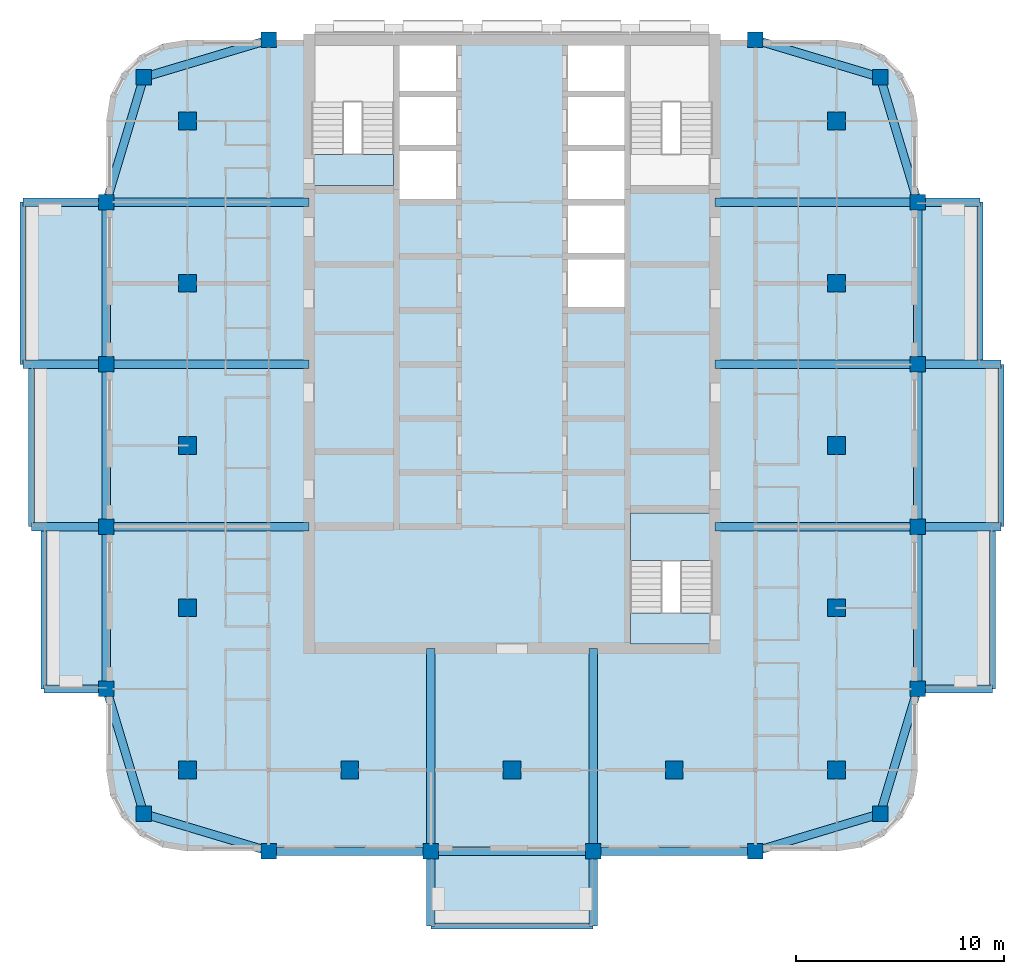
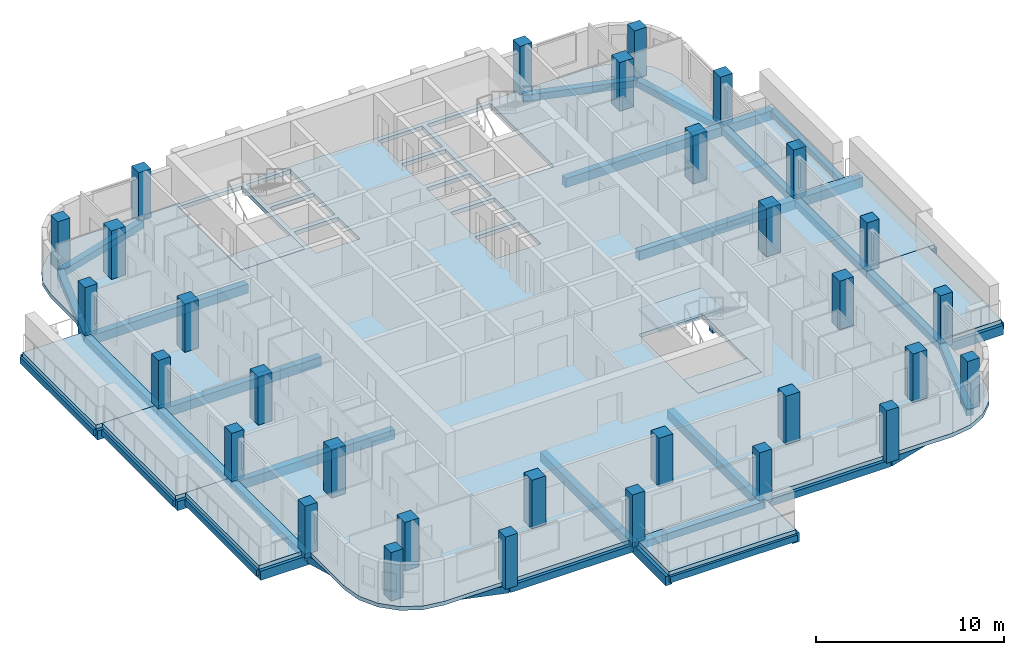
# One storey, part 1 of 13: 42 beams, 31 columns, 11 slabs, 2 elements without a shape of their own.
"""IFC4 building model written with IfcOpenShell, lengths in metres."""

from ifc_helpers import new_model, si_unit, direction, frame, origin, origin_2d, place, context, subcontext, project, spatial, polyline, rectangle, outline, extrude, material, layer, layer_set, material_profile, profile_set, type_object, element, aggregate, save


model = new_model("IFC4")

# Units and contexts
model_context = context("Model", 3, precision=1e-05, world=origin(), true_north=direction((0.0, 1.0)))
body_context = subcontext(model_context, "Body", "Model", "MODEL_VIEW")
ifc_project = project(units=[si_unit("LENGTHUNIT", "METRE"), si_unit("AREAUNIT", "SQUARE_METRE"), si_unit("VOLUMEUNIT", "CUBIC_METRE"), si_unit("PLANEANGLEUNIT", "RADIAN"), si_unit("MASSUNIT", "GRAM", prefix="KILO")], contexts=[model_context])

# Site, building, storey
site_placement = place(None, origin())
site = spatial("IfcSite", under=ifc_project, at=site_placement, CompositionType="ELEMENT")
building_placement = place(site_placement, origin())
building = spatial("IfcBuilding", under=site, at=building_placement, Name="Ludao Terraces", CompositionType="ELEMENT")
storey_placement = place(building_placement, frame((0.0, 0.0, 165.60009765625)))
storey = spatial("IfcBuildingStorey", under=building, at=storey_placement, Name="L45", CompositionType="ELEMENT", Elevation=165.60009765625)

# Columns
ifc_material_1 = material(Name="Concrete C45", Category="concrete")
ifc_material_profile_1 = material_profile(ifc_material_1, rectangle(XDim=0.75, YDim=0.75, at=origin_2d()), Name="750 X 750")
ifc_profile_set_1 = profile_set([ifc_material_profile_1], Name="Concrete C45")
column_type_1 = type_object("IfcColumnType", Name="RC column 750x750 C45", PredefinedType="COLUMN", material=ifc_profile_set_1)
for number, where, z_axis, x_axis, name in (
    (1, (67.300048828125, 47.300048828125, -0.25), (0.0, 0.0, 1.0), (1.0, 0.0, 0.0), "Column L45 C0057x0057"),
    (2, (102.699951171875, 47.300048828125, -0.25), (0.0, 0.0, 1.0), (1.0, 0.0, 0.0), "Column L45 C0411x0057"),
    (3, (67.300048828125, 82.699951171875, -0.25), (0.0, 0.0, 1.0), (1.0, 0.0, 0.0), "Column L45 C0057x0411"),
    (4, (102.699951171875, 82.699951171875, -0.25), (0.0, 0.0, 1.0), (1.0, 0.0, 0.0), "Column L45 C0411x0411"),
    (5, (65.5, 53.300048828125, -0.25), (0.0, 0.0, 1.0), (1.0, 0.0, 0.0), "Column L45 W0039x0117"),
    (6, (104.5, 53.300048828125, -0.25), (0.0, 0.0, 1.0), (1.0, 0.0, 0.0), "Column L45 W0429x0117"),
    (7, (73.300048828125, 45.5, -0.25), (0.0, 0.0, 1.0), (1.0, 0.0, 0.0), "Column L45 W0117x0039"),
    (8, (73.300048828125, 84.5, -0.25), (0.0, 0.0, 1.0), (1.0, 0.0, 0.0), "Column L45 W0117x0429"),
    (9, (65.5, 61.10009765625, -0.25), (0.0, 0.0, 1.0), (1.0, 0.0, 0.0), "Column L45 W0039x0195"),
    (10, (104.5, 61.10009765625, -0.25), (0.0, 0.0, 1.0), (1.0, 0.0, 0.0), "Column L45 W0429x0195"),
    (11, (81.10009765625, 45.5, -0.25), (0.0, 0.0, 1.0), (1.0, 0.0, 0.0), "Column L45 W0195x0039"),
    (12, (65.5, 68.89990234375, -0.25), (0.0, 0.0, 1.0), (1.0, 0.0, 0.0), "Column L45 W0039x0273"),
    (13, (104.5, 68.89990234375, -0.25), (0.0, 0.0, 1.0), (1.0, 0.0, 0.0), "Column L45 W0429x0273"),
    (14, (88.89990234375, 45.5, -0.25), (0.0, 0.0, 1.0), (1.0, 0.0, 0.0), "Column L45 W0273x0039"),
    (15, (65.5, 76.699951171875, -0.25), (0.0, 0.0, 1.0), (1.0, 0.0, 0.0), "Column L45 W0039x0351"),
    (16, (104.5, 76.699951171875, -0.25), (0.0, 0.0, 1.0), (1.0, 0.0, 0.0), "Column L45 W0429x0351"),
    (17, (96.699951171875, 45.5, -0.25), (0.0, 0.0, 1.0), (1.0, 0.0, 0.0), "Column L45 W0351x0039"),
    (18, (96.699951171875, 84.5, -0.25), (0.0, 0.0, 1.0), (1.0, 0.0, 0.0), "Column L45 W0351x0429"),
):
    element("IfcColumn", number, at=place(storey_placement, frame(where, z_axis=z_axis, x_axis=x_axis)), inside=storey, type_object=column_type_1, Name=name, PredefinedType="COLUMN", context=body_context, shape_type="SweptSolid", body=[
        extrude(rectangle(XDim=0.75, YDim=0.75, at=origin_2d()), origin(), (0.0, 0.0, 1.0), 3.39990234375),
    ])
ifc_material_profile_2 = material_profile(ifc_material_1, rectangle(XDim=0.85009765625, YDim=0.85009765625, at=origin_2d()), Name="850 X 850")
ifc_profile_set_2 = profile_set([ifc_material_profile_2], Name="Concrete C45")
column_type_2 = type_object("IfcColumnType", Name="RC column 850x850 C45", PredefinedType="COLUMN", material=ifc_profile_set_2)
for number, where, z_axis, x_axis, name in (
    (19, (69.39990234375, 49.39990234375, -0.25), (0.0, 0.0, 1.0), (1.0, 0.0, 0.0), "Column L45 S0078x0078"),
    (20, (69.39990234375, 57.199951171875, -0.25), (0.0, 0.0, 1.0), (1.0, 0.0, 0.0), "Column L45 S0078x0156"),
    (21, (69.39990234375, 65.0, -0.25), (0.0, 0.0, 1.0), (1.0, 0.0, 0.0), "Column L45 S0078x0234"),
    (22, (69.39990234375, 72.800048828125, -0.25), (0.0, 0.0, 1.0), (1.0, 0.0, 0.0), "Column L45 S0078x0312"),
    (23, (69.39990234375, 80.60009765625, -0.25), (0.0, 0.0, 1.0), (1.0, 0.0, 0.0), "Column L45 S0078x0390"),
    (24, (77.199951171875, 49.39990234375, -0.25), (0.0, 0.0, 1.0), (1.0, 0.0, 0.0), "Column L45 S0156x0078"),
    (25, (85.0, 49.39990234375, -0.25), (0.0, 0.0, 1.0), (1.0, 0.0, 0.0), "Column L45 S0234x0078"),
    (26, (92.800048828125, 49.39990234375, -0.25), (0.0, 0.0, 1.0), (1.0, 0.0, 0.0), "Column L45 S0312x0078"),
    (27, (100.60009765625, 49.39990234375, -0.25), (0.0, 0.0, 1.0), (1.0, 0.0, 0.0), "Column L45 S0390x0078"),
    (28, (100.60009765625, 57.199951171875, -0.25), (0.0, 0.0, 1.0), (1.0, 0.0, 0.0), "Column L45 S0390x0156"),
    (29, (100.60009765625, 65.0, -0.25), (0.0, 0.0, 1.0), (1.0, 0.0, 0.0), "Column L45 S0390x0234"),
    (30, (100.60009765625, 72.800048828125, -0.25), (0.0, 0.0, 1.0), (1.0, 0.0, 0.0), "Column L45 S0390x0312"),
    (31, (100.60009765625, 80.60009765625, -0.25), (0.0, 0.0, 1.0), (1.0, 0.0, 0.0), "Column L45 S0390x0390"),
):
    element("IfcColumn", number, at=place(storey_placement, frame(where, z_axis=z_axis, x_axis=x_axis)), inside=storey, type_object=column_type_2, Name=name, PredefinedType="COLUMN", context=body_context, shape_type="SweptSolid", body=[
        extrude(rectangle(XDim=0.85009765625, YDim=0.85009765625, at=origin_2d()), origin(), (0.0, 0.0, 1.0), 3.39990234375),
    ])

# Beams
ifc_material_2 = material(Name="Concrete C40", Category="concrete")
ifc_material_profile_3 = material_profile(ifc_material_2, rectangle(XDim=0.300048828125, YDim=0.39990234375, at=origin_2d()), Name="300 X 400")
ifc_profile_set_3 = profile_set([ifc_material_profile_3], Name="Concrete C40")
beam_type_1 = type_object("IfcBeamType", Name="RC beam 300x400 C40", PredefinedType="BEAM", material=ifc_profile_set_3)
beam_1_placement = place(storey_placement, frame((81.10009765625, 41.89990234375, -0.4501953125), z_axis=(1.0, 0.0, 0.0), x_axis=(0.0, 1.0, 0.0)))
element("IfcBeam", 32, at=beam_1_placement, inside=storey, type_object=beam_type_1, Name="Balcony edge beam L45 S1", PredefinedType="BEAM", context=body_context, shape_type="SweptSolid", body=[
    extrude(rectangle(XDim=0.300048828125, YDim=0.39990234375, at=origin_2d()), origin(), (0.0, 0.0, 1.0), 7.7998046875),
])
beam_2_placement = place(storey_placement, frame((108.10009765625, 53.300048828125, -0.4501953125), z_axis=(0.0, 1.0, 0.0), x_axis=(-1.0, 0.0, 0.0)))
element("IfcBeam", 33, at=beam_2_placement, inside=storey, type_object=beam_type_1, Name="Balcony edge beam L45 E1", PredefinedType="BEAM", context=body_context, shape_type="SweptSolid", body=[
    extrude(rectangle(XDim=0.300048828125, YDim=0.39990234375, at=origin_2d()), origin(), (0.0, 0.0, 1.0), 7.800048828125),
])
beam_3_placement = place(storey_placement, frame((108.5, 61.10009765625, -0.4501953125), z_axis=(0.0, 1.0, 0.0), x_axis=(-1.0, 0.0, 0.0)))
element("IfcBeam", 34, at=beam_3_placement, inside=storey, type_object=beam_type_1, Name="Balcony edge beam L45 E2", PredefinedType="BEAM", context=body_context, shape_type="SweptSolid", body=[
    extrude(rectangle(XDim=0.300048828125, YDim=0.39990234375, at=origin_2d()), origin(), (0.0, 0.0, 1.0), 7.7998046875),
])
for number, where, z_axis, x_axis, name in (
    (35, (107.5, 68.89990234375, -0.4501953125), (0.0, 1.0, 0.0), (-1.0, 0.0, 0.0), "Balcony edge beam L45 E3"),
    (36, (62.5, 53.300048828125, -0.4501953125), (0.0, 1.0, 0.0), (-1.0, 0.0, 0.0), "Balcony edge beam L45 W1"),
):
    element("IfcBeam", number, at=place(storey_placement, frame(where, z_axis=z_axis, x_axis=x_axis)), inside=storey, type_object=beam_type_1, Name=name, PredefinedType="BEAM", context=body_context, shape_type="SweptSolid", body=[
        extrude(rectangle(XDim=0.300048828125, YDim=0.39990234375, at=origin_2d()), origin(), (0.0, 0.0, 1.0), 7.800048828125),
    ])
beam_4_placement = place(storey_placement, frame((61.89990234375, 61.10009765625, -0.4501953125), z_axis=(0.0, 1.0, 0.0), x_axis=(-1.0, 0.0, 0.0)))
element("IfcBeam", 37, at=beam_4_placement, inside=storey, type_object=beam_type_1, Name="Balcony edge beam L45 W2", PredefinedType="BEAM", context=body_context, shape_type="SweptSolid", body=[
    extrude(rectangle(XDim=0.300048828125, YDim=0.39990234375, at=origin_2d()), origin(), (0.0, 0.0, 1.0), 7.7998046875),
])
beam_5_placement = place(storey_placement, frame((61.5, 68.89990234375, -0.4501953125), z_axis=(0.0, 1.0, 0.0), x_axis=(-1.0, 0.0, 0.0)))
element("IfcBeam", 38, at=beam_5_placement, inside=storey, type_object=beam_type_1, Name="Balcony edge beam L45 W3", PredefinedType="BEAM", context=body_context, shape_type="SweptSolid", body=[
    extrude(rectangle(XDim=0.300048828125, YDim=0.39990234375, at=origin_2d()), origin(), (0.0, 0.0, 1.0), 7.800048828125),
])
ifc_material_profile_4 = material_profile(ifc_material_2, rectangle(XDim=0.39990234375, YDim=0.449951171875, at=origin_2d()), Name="400 X 450")
ifc_profile_set_4 = profile_set([ifc_material_profile_4], Name="Concrete C40")
beam_type_2 = type_object("IfcBeamType", Name="RC beam 400x450 C40", PredefinedType="BEAM", material=ifc_profile_set_4)
beam_6_placement = place(storey_placement, frame((67.300048828125, 47.300048828125, -0.47509765625), z_axis=(0.957824139839, -0.287355036744, 0.0), x_axis=(0.287355036744, 0.957824139839, 0.0)))
element("IfcBeam", 39, at=beam_6_placement, inside=storey, type_object=beam_type_2, Name="Spandrel beam L45 S1", PredefinedType="BEAM", context=body_context, shape_type="SweptSolid", body=[
    extrude(rectangle(XDim=0.39990234375, YDim=0.449951171875, at=origin_2d()), origin(), (0.0, 0.0, 1.0), 6.26416015625),
])
beam_7_placement = place(storey_placement, frame((73.300048828125, 45.5, -0.47509765625), z_axis=(1.0, 0.0, 0.0), x_axis=(0.0, 1.0, 0.0)))
element("IfcBeam", 40, at=beam_7_placement, inside=storey, type_object=beam_type_2, Name="Spandrel beam L45 S2", PredefinedType="BEAM", context=body_context, shape_type="SweptSolid", body=[
    extrude(rectangle(XDim=0.39990234375, YDim=0.449951171875, at=origin_2d()), origin(), (0.0, 0.0, 1.0), 7.800048828125),
])
beam_8_placement = place(storey_placement, frame((81.10009765625, 45.5, -0.47509765625), z_axis=(1.0, 0.0, 0.0), x_axis=(0.0, 1.0, 0.0)))
element("IfcBeam", 41, at=beam_8_placement, inside=storey, type_object=beam_type_2, Name="Spandrel beam L45 S3", PredefinedType="BEAM", context=body_context, shape_type="SweptSolid", body=[
    extrude(rectangle(XDim=0.39990234375, YDim=0.449951171875, at=origin_2d()), origin(), (0.0, 0.0, 1.0), 7.7998046875),
])
beam_9_placement = place(storey_placement, frame((88.89990234375, 45.5, -0.47509765625), z_axis=(1.0, 0.0, 0.0), x_axis=(0.0, 1.0, 0.0)))
element("IfcBeam", 42, at=beam_9_placement, inside=storey, type_object=beam_type_2, Name="Spandrel beam L45 S4", PredefinedType="BEAM", context=body_context, shape_type="SweptSolid", body=[
    extrude(rectangle(XDim=0.39990234375, YDim=0.449951171875, at=origin_2d()), origin(), (0.0, 0.0, 1.0), 7.800048828125),
])
for number, where, z_axis, x_axis, name in (
    (43, (96.699951171875, 45.5, -0.47509765625), (0.957824139839, 0.287355036744, 0.0), (-0.287355036744, 0.957824139839, 0.0), "Spandrel beam L45 S5"),
    (44, (67.300048828125, 82.699951171875, -0.47509765625), (0.957824139839, 0.287355036744, 0.0), (-0.287355036744, 0.957824139839, 0.0), "Spandrel beam L45 N6"),
    (45, (96.699951171875, 84.5, -0.47509765625), (0.957824139839, -0.287355036744, 0.0), (0.287355036744, 0.957824139839, 0.0), "Spandrel beam L45 N7"),
    (46, (67.300048828125, 47.300048828125, -0.47509765625), (-0.287355036744, 0.957824139839, 0.0), (-0.957824139839, -0.287355036744, 0.0), "Spandrel beam L45 W8"),
):
    element("IfcBeam", number, at=place(storey_placement, frame(where, z_axis=z_axis, x_axis=x_axis)), inside=storey, type_object=beam_type_2, Name=name, PredefinedType="BEAM", context=body_context, shape_type="SweptSolid", body=[
        extrude(rectangle(XDim=0.39990234375, YDim=0.449951171875, at=origin_2d()), origin(), (0.0, 0.0, 1.0), 6.26416015625),
    ])
beam_10_placement = place(storey_placement, frame((65.5, 53.300048828125, -0.47509765625), z_axis=(0.0, 1.0, 0.0), x_axis=(-1.0, 0.0, 0.0)))
element("IfcBeam", 47, at=beam_10_placement, inside=storey, type_object=beam_type_2, Name="Spandrel beam L45 W9", PredefinedType="BEAM", context=body_context, shape_type="SweptSolid", body=[
    extrude(rectangle(XDim=0.39990234375, YDim=0.449951171875, at=origin_2d()), origin(), (0.0, 0.0, 1.0), 7.800048828125),
])
beam_11_placement = place(storey_placement, frame((65.5, 61.10009765625, -0.47509765625), z_axis=(0.0, 1.0, 0.0), x_axis=(-1.0, 0.0, 0.0)))
element("IfcBeam", 48, at=beam_11_placement, inside=storey, type_object=beam_type_2, Name="Spandrel beam L45 W10", PredefinedType="BEAM", context=body_context, shape_type="SweptSolid", body=[
    extrude(rectangle(XDim=0.39990234375, YDim=0.449951171875, at=origin_2d()), origin(), (0.0, 0.0, 1.0), 7.7998046875),
])
beam_12_placement = place(storey_placement, frame((65.5, 68.89990234375, -0.47509765625), z_axis=(0.0, 1.0, 0.0), x_axis=(-1.0, 0.0, 0.0)))
element("IfcBeam", 49, at=beam_12_placement, inside=storey, type_object=beam_type_2, Name="Spandrel beam L45 W11", PredefinedType="BEAM", context=body_context, shape_type="SweptSolid", body=[
    extrude(rectangle(XDim=0.39990234375, YDim=0.449951171875, at=origin_2d()), origin(), (0.0, 0.0, 1.0), 7.800048828125),
])
for number, where, z_axis, x_axis, name in (
    (50, (65.5, 76.699951171875, -0.47509765625), (0.287355036744, 0.957824139839, 0.0), (-0.957824139839, 0.287355036744, 0.0), "Spandrel beam L45 W12"),
    (51, (102.699951171875, 47.300048828125, -0.47509765625), (0.287355036744, 0.957824139839, 0.0), (-0.957824139839, 0.287355036744, 0.0), "Spandrel beam L45 E13"),
):
    element("IfcBeam", number, at=place(storey_placement, frame(where, z_axis=z_axis, x_axis=x_axis)), inside=storey, type_object=beam_type_2, Name=name, PredefinedType="BEAM", context=body_context, shape_type="SweptSolid", body=[
        extrude(rectangle(XDim=0.39990234375, YDim=0.449951171875, at=origin_2d()), origin(), (0.0, 0.0, 1.0), 6.26416015625),
    ])
beam_13_placement = place(storey_placement, frame((104.5, 53.300048828125, -0.47509765625), z_axis=(0.0, 1.0, 0.0), x_axis=(-1.0, 0.0, 0.0)))
element("IfcBeam", 52, at=beam_13_placement, inside=storey, type_object=beam_type_2, Name="Spandrel beam L45 E14", PredefinedType="BEAM", context=body_context, shape_type="SweptSolid", body=[
    extrude(rectangle(XDim=0.39990234375, YDim=0.449951171875, at=origin_2d()), origin(), (0.0, 0.0, 1.0), 7.800048828125),
])
beam_14_placement = place(storey_placement, frame((104.5, 61.10009765625, -0.47509765625), z_axis=(0.0, 1.0, 0.0), x_axis=(-1.0, 0.0, 0.0)))
element("IfcBeam", 53, at=beam_14_placement, inside=storey, type_object=beam_type_2, Name="Spandrel beam L45 E15", PredefinedType="BEAM", context=body_context, shape_type="SweptSolid", body=[
    extrude(rectangle(XDim=0.39990234375, YDim=0.449951171875, at=origin_2d()), origin(), (0.0, 0.0, 1.0), 7.7998046875),
])
beam_15_placement = place(storey_placement, frame((104.5, 68.89990234375, -0.47509765625), z_axis=(0.0, 1.0, 0.0), x_axis=(-1.0, 0.0, 0.0)))
element("IfcBeam", 54, at=beam_15_placement, inside=storey, type_object=beam_type_2, Name="Spandrel beam L45 E16", PredefinedType="BEAM", context=body_context, shape_type="SweptSolid", body=[
    extrude(rectangle(XDim=0.39990234375, YDim=0.449951171875, at=origin_2d()), origin(), (0.0, 0.0, 1.0), 7.800048828125),
])
beam_16_placement = place(storey_placement, frame((104.5, 76.699951171875, -0.47509765625), z_axis=(-0.287355036744, 0.957824139839, 0.0), x_axis=(-0.957824139839, -0.287355036744, 0.0)))
element("IfcBeam", 55, at=beam_16_placement, inside=storey, type_object=beam_type_2, Name="Spandrel beam L45 E17", PredefinedType="BEAM", context=body_context, shape_type="SweptSolid", body=[
    extrude(rectangle(XDim=0.39990234375, YDim=0.449951171875, at=origin_2d()), origin(), (0.0, 0.0, 1.0), 6.26416015625),
])
ifc_material_profile_5 = material_profile(ifc_material_2, rectangle(XDim=0.39990234375, YDim=0.60009765625, at=origin_2d()), Name="400 X 600")
ifc_profile_set_5 = profile_set([ifc_material_profile_5], Name="Concrete C40")
beam_type_3 = type_object("IfcBeamType", Name="RC beam 400x600 C40", PredefinedType="BEAM", material=ifc_profile_set_5)
beam_17_placement = place(storey_placement, frame((104.5, 53.300048828125, -0.550048828125), z_axis=(1.0, 0.0, 0.0), x_axis=(0.0, 1.0, 0.0)))
element("IfcBeam", 56, at=beam_17_placement, inside=storey, type_object=beam_type_3, Name="Balcony beam L45 E533", PredefinedType="BEAM", context=body_context, shape_type="SweptSolid", body=[
    extrude(rectangle(XDim=0.39990234375, YDim=0.60009765625, at=origin_2d()), origin(), (0.0, 0.0, 1.0), 3.60009765625),
])
beam_18_placement = place(storey_placement, frame((94.75, 61.10009765625, -0.550048828125), z_axis=(1.0, 0.0, 0.0), x_axis=(0.0, 1.0, 0.0)))
element("IfcBeam", 57, at=beam_18_placement, inside=storey, type_object=beam_type_3, Name="Balcony beam L45 E611", PredefinedType="BEAM", context=body_context, shape_type="SweptSolid", body=[
    extrude(rectangle(XDim=0.39990234375, YDim=0.60009765625, at=origin_2d()), origin(), (0.0, 0.0, 1.0), 9.75),
])
beam_19_placement = place(storey_placement, frame((104.5, 61.10009765625, -0.550048828125), z_axis=(1.0, 0.0, 0.0), x_axis=(0.0, 1.0, 0.0)))
element("IfcBeam", 58, at=beam_19_placement, inside=storey, type_object=beam_type_3, Name="Balcony beam L45 E611", PredefinedType="BEAM", context=body_context, shape_type="SweptSolid", body=[
    extrude(rectangle(XDim=0.39990234375, YDim=0.60009765625, at=origin_2d()), origin(), (0.0, 0.0, 1.0), 4.0),
])
beam_20_placement = place(storey_placement, frame((94.75, 68.89990234375, -0.550048828125), z_axis=(1.0, 0.0, 0.0), x_axis=(0.0, 1.0, 0.0)))
element("IfcBeam", 59, at=beam_20_placement, inside=storey, type_object=beam_type_3, Name="Balcony beam L45 E689", PredefinedType="BEAM", context=body_context, shape_type="SweptSolid", body=[
    extrude(rectangle(XDim=0.39990234375, YDim=0.60009765625, at=origin_2d()), origin(), (0.0, 0.0, 1.0), 9.75),
])
beam_21_placement = place(storey_placement, frame((104.5, 68.89990234375, -0.550048828125), z_axis=(1.0, 0.0, 0.0), x_axis=(0.0, 1.0, 0.0)))
element("IfcBeam", 60, at=beam_21_placement, inside=storey, type_object=beam_type_3, Name="Balcony beam L45 E689", PredefinedType="BEAM", context=body_context, shape_type="SweptSolid", body=[
    extrude(rectangle(XDim=0.39990234375, YDim=0.60009765625, at=origin_2d()), origin(), (0.0, 0.0, 1.0), 4.0),
])
beam_22_placement = place(storey_placement, frame((94.75, 76.699951171875, -0.550048828125), z_axis=(1.0, 0.0, 0.0), x_axis=(0.0, 1.0, 0.0)))
element("IfcBeam", 61, at=beam_22_placement, inside=storey, type_object=beam_type_3, Name="Balcony beam L45 E767", PredefinedType="BEAM", context=body_context, shape_type="SweptSolid", body=[
    extrude(rectangle(XDim=0.39990234375, YDim=0.60009765625, at=origin_2d()), origin(), (0.0, 0.0, 1.0), 9.75),
])
beam_23_placement = place(storey_placement, frame((104.5, 76.699951171875, -0.550048828125), z_axis=(1.0, 0.0, 0.0), x_axis=(0.0, 1.0, 0.0)))
element("IfcBeam", 62, at=beam_23_placement, inside=storey, type_object=beam_type_3, Name="Balcony beam L45 E767", PredefinedType="BEAM", context=body_context, shape_type="SweptSolid", body=[
    extrude(rectangle(XDim=0.39990234375, YDim=0.60009765625, at=origin_2d()), origin(), (0.0, 0.0, 1.0), 3.0),
])
beam_24_placement = place(storey_placement, frame((81.10009765625, 55.25, -0.550048828125), z_axis=(0.0, -1.0, 0.0), x_axis=(1.0, 0.0, 0.0)))
element("IfcBeam", 63, at=beam_24_placement, inside=storey, type_object=beam_type_3, Name="Balcony beam L45 S811", PredefinedType="BEAM", context=body_context, shape_type="SweptSolid", body=[
    extrude(rectangle(XDim=0.39990234375, YDim=0.60009765625, at=origin_2d()), origin(), (0.0, 0.0, 1.0), 9.75),
])
beam_25_placement = place(storey_placement, frame((81.10009765625, 45.5, -0.550048828125), z_axis=(0.0, -1.0, 0.0), x_axis=(1.0, 0.0, 0.0)))
element("IfcBeam", 64, at=beam_25_placement, inside=storey, type_object=beam_type_3, Name="Balcony beam L45 S811", PredefinedType="BEAM", context=body_context, shape_type="SweptSolid", body=[
    extrude(rectangle(XDim=0.39990234375, YDim=0.60009765625, at=origin_2d()), origin(), (0.0, 0.0, 1.0), 3.60009765625),
])
beam_26_placement = place(storey_placement, frame((88.89990234375, 55.25, -0.550048828125), z_axis=(0.0, -1.0, 0.0), x_axis=(1.0, 0.0, 0.0)))
element("IfcBeam", 65, at=beam_26_placement, inside=storey, type_object=beam_type_3, Name="Balcony beam L45 S889", PredefinedType="BEAM", context=body_context, shape_type="SweptSolid", body=[
    extrude(rectangle(XDim=0.39990234375, YDim=0.60009765625, at=origin_2d()), origin(), (0.0, 0.0, 1.0), 9.75),
])
beam_27_placement = place(storey_placement, frame((88.89990234375, 45.5, -0.550048828125), z_axis=(0.0, -1.0, 0.0), x_axis=(1.0, 0.0, 0.0)))
element("IfcBeam", 66, at=beam_27_placement, inside=storey, type_object=beam_type_3, Name="Balcony beam L45 S889", PredefinedType="BEAM", context=body_context, shape_type="SweptSolid", body=[
    extrude(rectangle(XDim=0.39990234375, YDim=0.60009765625, at=origin_2d()), origin(), (0.0, 0.0, 1.0), 3.60009765625),
])
beam_28_placement = place(storey_placement, frame((65.5, 53.300048828125, -0.550048828125), z_axis=(-1.0, 0.0, 0.0), x_axis=(0.0, -1.0, 0.0)))
element("IfcBeam", 67, at=beam_28_placement, inside=storey, type_object=beam_type_3, Name="Balcony beam L45 W533", PredefinedType="BEAM", context=body_context, shape_type="SweptSolid", body=[
    extrude(rectangle(XDim=0.39990234375, YDim=0.60009765625, at=origin_2d()), origin(), (0.0, 0.0, 1.0), 3.0),
])
beam_29_placement = place(storey_placement, frame((75.25, 61.10009765625, -0.550048828125), z_axis=(-1.0, 0.0, 0.0), x_axis=(0.0, -1.0, 0.0)))
element("IfcBeam", 68, at=beam_29_placement, inside=storey, type_object=beam_type_3, Name="Balcony beam L45 W611", PredefinedType="BEAM", context=body_context, shape_type="SweptSolid", body=[
    extrude(rectangle(XDim=0.39990234375, YDim=0.60009765625, at=origin_2d()), origin(), (0.0, 0.0, 1.0), 9.75),
])
beam_30_placement = place(storey_placement, frame((65.5, 61.10009765625, -0.550048828125), z_axis=(-1.0, 0.0, 0.0), x_axis=(0.0, -1.0, 0.0)))
element("IfcBeam", 69, at=beam_30_placement, inside=storey, type_object=beam_type_3, Name="Balcony beam L45 W611", PredefinedType="BEAM", context=body_context, shape_type="SweptSolid", body=[
    extrude(rectangle(XDim=0.39990234375, YDim=0.60009765625, at=origin_2d()), origin(), (0.0, 0.0, 1.0), 3.60009765625),
])
beam_31_placement = place(storey_placement, frame((75.25, 68.89990234375, -0.550048828125), z_axis=(-1.0, 0.0, 0.0), x_axis=(0.0, -1.0, 0.0)))
element("IfcBeam", 70, at=beam_31_placement, inside=storey, type_object=beam_type_3, Name="Balcony beam L45 W689", PredefinedType="BEAM", context=body_context, shape_type="SweptSolid", body=[
    extrude(rectangle(XDim=0.39990234375, YDim=0.60009765625, at=origin_2d()), origin(), (0.0, 0.0, 1.0), 9.75),
])
beam_32_placement = place(storey_placement, frame((65.5, 68.89990234375, -0.550048828125), z_axis=(-1.0, 0.0, 0.0), x_axis=(0.0, -1.0, 0.0)))
element("IfcBeam", 71, at=beam_32_placement, inside=storey, type_object=beam_type_3, Name="Balcony beam L45 W689", PredefinedType="BEAM", context=body_context, shape_type="SweptSolid", body=[
    extrude(rectangle(XDim=0.39990234375, YDim=0.60009765625, at=origin_2d()), origin(), (0.0, 0.0, 1.0), 4.0),
])
beam_33_placement = place(storey_placement, frame((75.25, 76.699951171875, -0.550048828125), z_axis=(-1.0, 0.0, 0.0), x_axis=(0.0, -1.0, 0.0)))
element("IfcBeam", 72, at=beam_33_placement, inside=storey, type_object=beam_type_3, Name="Balcony beam L45 W767", PredefinedType="BEAM", context=body_context, shape_type="SweptSolid", body=[
    extrude(rectangle(XDim=0.39990234375, YDim=0.60009765625, at=origin_2d()), origin(), (0.0, 0.0, 1.0), 9.75),
])
beam_34_placement = place(storey_placement, frame((65.5, 76.699951171875, -0.550048828125), z_axis=(-1.0, 0.0, 0.0), x_axis=(0.0, -1.0, 0.0)))
element("IfcBeam", 73, at=beam_34_placement, inside=storey, type_object=beam_type_3, Name="Balcony beam L45 W767", PredefinedType="BEAM", context=body_context, shape_type="SweptSolid", body=[
    extrude(rectangle(XDim=0.39990234375, YDim=0.60009765625, at=origin_2d()), origin(), (0.0, 0.0, 1.0), 4.0),
])

# Slabs
ifc_layer_1 = layer(ifc_material_2, 0.25)
ifc_layer_set_1 = layer_set([ifc_layer_1], Name="Balcony slab 250 C40")
slab_type_1 = type_object("IfcSlabType", Name="Balcony slab 250 C40", PredefinedType="USERDEFINED", material=ifc_layer_set_1)
slab_1_placement = place(storey_placement, frame((0.0, 0.0, -0.25)))
element("IfcSlab", 74, at=slab_1_placement, inside=storey, type_object=slab_type_1, Name="Balcony L45 S1", ObjectType="BALCONY", PredefinedType="USERDEFINED", context=body_context, shape_type="SweptSolid", body=[
    extrude(outline(polyline([(81.10009765625, 41.89990234375), (88.89990234375, 41.89990234375), (88.89990234375, 45.5), (81.10009765625, 45.5), (81.10009765625, 41.89990234375)])), origin(), (0.0, 0.0, 1.0), 0.25),
])
slab_2_placement = place(storey_placement, frame((0.0, 0.0, -0.25)))
element("IfcSlab", 75, at=slab_2_placement, inside=storey, type_object=slab_type_1, Name="Balcony L45 E1", ObjectType="BALCONY", PredefinedType="USERDEFINED", context=body_context, shape_type="SweptSolid", body=[
    extrude(outline(polyline([(104.5, 53.300048828125), (108.10009765625, 53.300048828125), (108.10009765625, 61.10009765625), (104.5, 61.10009765625), (104.5, 53.300048828125)])), origin(), (0.0, 0.0, 1.0), 0.25),
])
slab_3_placement = place(storey_placement, frame((0.0, 0.0, -0.25)))
element("IfcSlab", 76, at=slab_3_placement, inside=storey, type_object=slab_type_1, Name="Balcony L45 E2", ObjectType="BALCONY", PredefinedType="USERDEFINED", context=body_context, shape_type="SweptSolid", body=[
    extrude(outline(polyline([(104.5, 61.10009765625), (108.5, 61.10009765625), (108.5, 68.89990234375), (104.5, 68.89990234375), (104.5, 61.10009765625)])), origin(), (0.0, 0.0, 1.0), 0.25),
])
slab_4_placement = place(storey_placement, frame((0.0, 0.0, -0.25)))
element("IfcSlab", 77, at=slab_4_placement, inside=storey, type_object=slab_type_1, Name="Balcony L45 E3", ObjectType="BALCONY", PredefinedType="USERDEFINED", context=body_context, shape_type="SweptSolid", body=[
    extrude(outline(polyline([(104.5, 68.89990234375), (107.5, 68.89990234375), (107.5, 76.699951171875), (104.5, 76.699951171875), (104.5, 68.89990234375)])), origin(), (0.0, 0.0, 1.0), 0.25),
])
slab_5_placement = place(storey_placement, frame((0.0, 0.0, -0.25)))
element("IfcSlab", 78, at=slab_5_placement, inside=storey, type_object=slab_type_1, Name="Balcony L45 W1", ObjectType="BALCONY", PredefinedType="USERDEFINED", context=body_context, shape_type="SweptSolid", body=[
    extrude(outline(polyline([(62.5, 53.300048828125), (65.5, 53.300048828125), (65.5, 61.10009765625), (62.5, 61.10009765625), (62.5, 53.300048828125)])), origin(), (0.0, 0.0, 1.0), 0.25),
])
slab_6_placement = place(storey_placement, frame((0.0, 0.0, -0.25)))
element("IfcSlab", 79, at=slab_6_placement, inside=storey, type_object=slab_type_1, Name="Balcony L45 W2", ObjectType="BALCONY", PredefinedType="USERDEFINED", context=body_context, shape_type="SweptSolid", body=[
    extrude(outline(polyline([(61.89990234375, 61.10009765625), (65.5, 61.10009765625), (65.5, 68.89990234375), (61.89990234375, 68.89990234375), (61.89990234375, 61.10009765625)])), origin(), (0.0, 0.0, 1.0), 0.25),
])
slab_7_placement = place(storey_placement, frame((0.0, 0.0, -0.25)))
element("IfcSlab", 80, at=slab_7_placement, inside=storey, type_object=slab_type_1, Name="Balcony L45 W3", ObjectType="BALCONY", PredefinedType="USERDEFINED", context=body_context, shape_type="SweptSolid", body=[
    extrude(outline(polyline([(61.5, 68.89990234375), (65.5, 68.89990234375), (65.5, 76.699951171875), (61.5, 76.699951171875), (61.5, 68.89990234375)])), origin(), (0.0, 0.0, 1.0), 0.25),
])
ifc_layer_2 = layer(ifc_material_2, 0.25)
ifc_layer_set_2 = layer_set([ifc_layer_2], Name="Floor slab 250 C40")
slab_type_2 = type_object("IfcSlabType", Name="Floor slab 250 C40", PredefinedType="FLOOR", material=ifc_layer_set_2)
slab_8_placement = place(storey_placement, frame((0.0, 0.0, -0.25)))
element("IfcSlab", 81, at=slab_8_placement, inside=storey, type_object=slab_type_2, Name="Slab L45", PredefinedType="FLOOR", context=body_context, shape_type="SweptSolid", body=[
    extrude(outline(polyline([(100.60009765625, 45.5), (101.80517578125, 45.69091796875), (102.892333984375, 46.244873046875), (103.755126953125, 47.107666015625), (104.30908203125, 48.19482421875), (104.5, 49.39990234375), (104.5, 80.60009765625), (104.30908203125, 81.80517578125), (103.755126953125, 82.892333984375), (102.892333984375, 83.755126953125), (101.80517578125, 84.30908203125), (100.60009765625, 84.5), (69.39990234375, 84.5), (68.19482421875, 84.30908203125), (67.107666015625, 83.755126953125), (66.244873046875, 82.892333984375), (65.69091796875, 81.80517578125), (65.5, 80.60009765625), (65.5, 49.39990234375), (65.69091796875, 48.19482421875), (66.244873046875, 47.107666015625), (67.107666015625, 46.244873046875), (68.19482421875, 45.69091796875), (69.39990234375, 45.5), (100.60009765625, 45.5)]), holes=[polyline([(79.60009765625, 76.85009765625), (82.300048828125, 76.85009765625), (82.300048828125, 79.14990234375), (79.60009765625, 79.14990234375), (79.60009765625, 76.85009765625)]), polyline([(79.60009765625, 79.449951171875), (82.300048828125, 79.449951171875), (82.300048828125, 81.75), (79.60009765625, 81.75), (79.60009765625, 79.449951171875)]), polyline([(79.60009765625, 82.050048828125), (82.300048828125, 82.050048828125), (82.300048828125, 84.239990234375), (79.60009765625, 84.239990234375), (79.60009765625, 82.050048828125)]), polyline([(87.699951171875, 71.64990234375), (90.39990234375, 71.64990234375), (90.39990234375, 73.949951171875), (87.699951171875, 73.949951171875), (87.699951171875, 71.64990234375)]), polyline([(87.699951171875, 74.25), (90.39990234375, 74.25), (90.39990234375, 76.550048828125), (87.699951171875, 76.550048828125), (87.699951171875, 74.25)]), polyline([(87.699951171875, 76.85009765625), (90.39990234375, 76.85009765625), (90.39990234375, 79.14990234375), (87.699951171875, 79.14990234375), (87.699951171875, 76.85009765625)]), polyline([(87.699951171875, 79.449951171875), (90.39990234375, 79.449951171875), (90.39990234375, 81.75), (87.699951171875, 81.75), (87.699951171875, 79.449951171875)]), polyline([(87.699951171875, 82.050048828125), (90.39990234375, 82.050048828125), (90.39990234375, 84.239990234375), (87.699951171875, 84.239990234375), (87.699951171875, 82.050048828125)]), polyline([(75.39990234375, 77.5), (79.300048828125, 77.5), (79.300048828125, 84.239990234375), (75.39990234375, 84.239990234375), (75.39990234375, 77.5)]), polyline([(90.699951171875, 77.5), (94.60009765625, 77.5), (94.60009765625, 84.239990234375), (90.699951171875, 84.239990234375), (90.699951171875, 77.5)]), polyline([(90.699951171875, 55.449951171875), (94.60009765625, 55.449951171875), (94.60009765625, 61.75), (90.699951171875, 61.75), (90.699951171875, 55.449951171875)])]), origin(), (0.0, 0.0, 1.0), 0.25),
])

# Stair, slab
stair_type = type_object("IfcStairType", Name="INT Stair", PredefinedType="HALF_TURN_STAIR", material=ifc_material_2)
stair_1_placement = place(storey_placement, origin())
stair_1 = element("IfcStair", 82, at=stair_1_placement, inside=storey, type_object=stair_type, Name="EXIT STAIR 1", PredefinedType="HALF_TURN_STAIR")
ifc_layer_3 = layer(ifc_material_2, 0.199951171875)
ifc_layer_set_3 = layer_set([ifc_layer_3], Name="INT Stair landing 200")
slab_type_3 = type_object("IfcSlabType", Name="INT Stair landing 200", PredefinedType="LANDING", material=ifc_layer_set_3)
slab_9_placement = place(storey_placement, frame((0.0, 0.0, -0.2001953125)))
slab_9 = element("IfcSlab", 83, at=slab_9_placement, type_object=slab_type_3, Name="ST1 landing 2", PredefinedType="LANDING", context=body_context, shape_type="SweptSolid", body=[
    extrude(outline(polyline([(75.39990234375, 77.5), (79.300048828125, 77.5), (79.300048828125, 79.0), (75.39990234375, 79.0), (75.39990234375, 77.5)])), origin(), (0.0, 0.0, 1.0), 0.2001953125),
])
aggregate(stair_1, [slab_9])

# Stair, slabs
stair_2_placement = place(storey_placement, origin())
stair_2 = element("IfcStair", 84, at=stair_2_placement, inside=storey, type_object=stair_type, Name="EXIT STAIR 3", PredefinedType="HALF_TURN_STAIR")
slab_10_placement = place(storey_placement, frame((0.0, 0.0, 1.5)))
slab_10 = element("IfcSlab", 85, at=slab_10_placement, type_object=slab_type_3, Name="ST3 landing 1", PredefinedType="LANDING", context=body_context, shape_type="SweptSolid", body=[
    extrude(outline(polyline([(90.699951171875, 59.469970703125), (94.60009765625, 59.469970703125), (94.60009765625, 61.75), (90.699951171875, 61.75), (90.699951171875, 59.469970703125)])), origin(), (0.0, 0.0, 1.0), 0.199951171875),
])
slab_11_placement = place(storey_placement, frame((0.0, 0.0, -0.2001953125)))
slab_11 = element("IfcSlab", 86, at=slab_11_placement, type_object=slab_type_3, Name="ST3 landing 2", PredefinedType="LANDING", context=body_context, shape_type="SweptSolid", body=[
    extrude(outline(polyline([(90.699951171875, 55.449951171875), (94.60009765625, 55.449951171875), (94.60009765625, 56.949951171875), (90.699951171875, 56.949951171875), (90.699951171875, 55.449951171875)])), origin(), (0.0, 0.0, 1.0), 0.2001953125),
])
aggregate(stair_2, [slab_10, slab_11])

save(model, "model.ifc")
